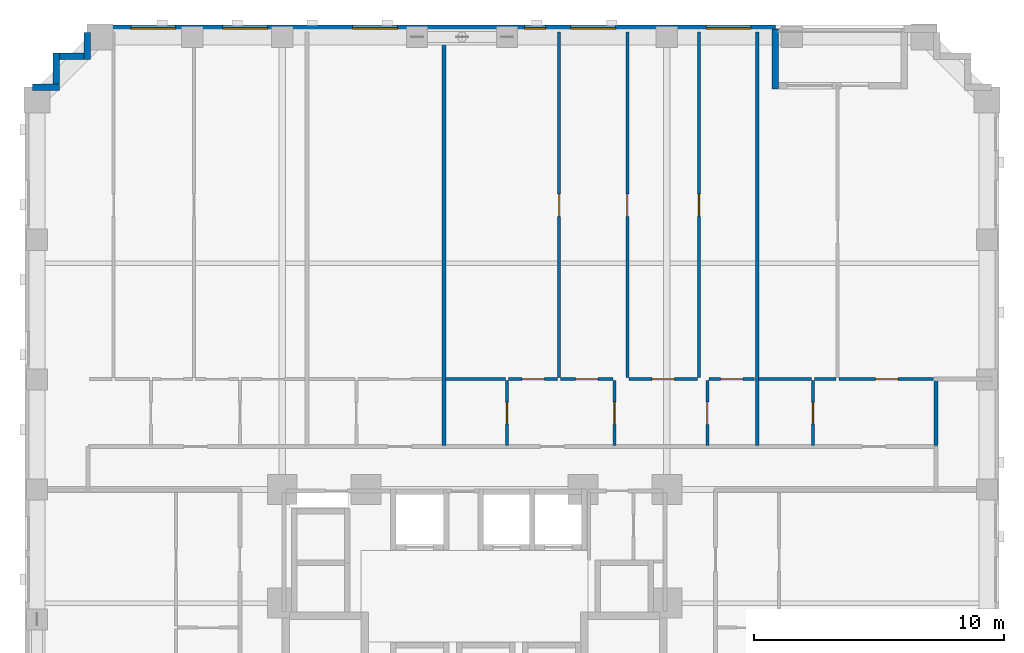
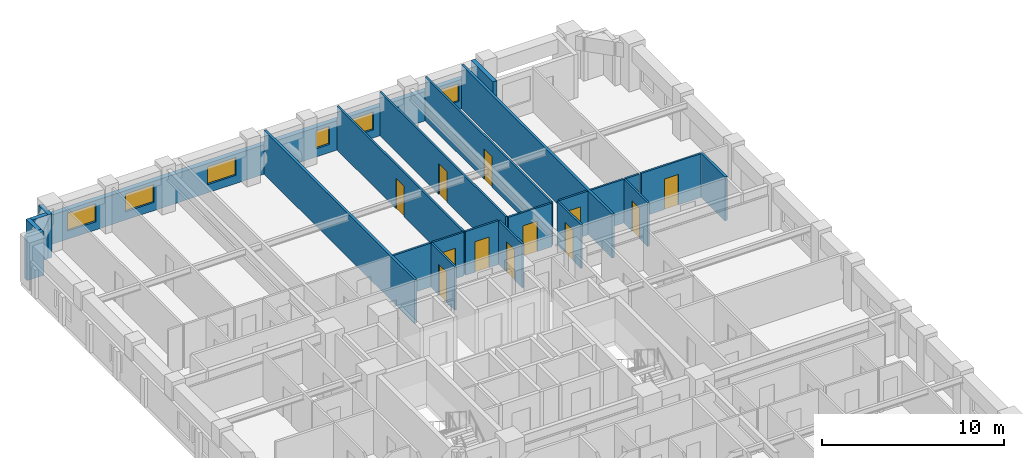
# One storey, part 8 of 14: 24 walls, 12 doors, 6 windows, 18 openings.
"""IFC4 building model written with IfcOpenShell, lengths in metres."""

from ifc_helpers import new_model, si_unit, derived_unit, direction, frame, frame_2d, origin, place, context, subcontext, project, spatial, rectangle, extrude, material, layer, layer_set, type_object, element, fill, save


model = new_model("IFC4")

# Units and contexts
model_context = context("Model", 3, precision=1e-05, world=origin(), true_north=direction((0.0, 1.0)))
body_context = subcontext(model_context, "Body", "Model", "MODEL_VIEW")
ifc_project = project(units=[si_unit("LENGTHUNIT", "METRE"), si_unit("AREAUNIT", "SQUARE_METRE"), si_unit("VOLUMEUNIT", "CUBIC_METRE"), si_unit("PLANEANGLEUNIT", "RADIAN"), si_unit("MASSUNIT", "GRAM", prefix="KILO"), derived_unit("THERMALTRANSMITTANCEUNIT", [(si_unit("MASSUNIT", "GRAM", prefix="KILO"), 1), (si_unit("TIMEUNIT", "SECOND"), -3), (si_unit("THERMODYNAMICTEMPERATUREUNIT", "KELVIN"), -1)])], contexts=[model_context])

# Site, building, storey
site_placement = place(None, origin())
site = spatial("IfcSite", under=ifc_project, at=site_placement, CompositionType="ELEMENT")
building_placement = place(site_placement, origin())
building = spatial("IfcBuilding", under=site, at=building_placement, Name="Korrvale Station Residences", CompositionType="ELEMENT")
storey_placement = place(building_placement, frame((0.0, 0.0, 54.60009765625)))
storey = spatial("IfcBuildingStorey", under=building, at=storey_placement, Name="L14", CompositionType="ELEMENT", Elevation=54.60009765625)

# Walls
ifc_material_1 = material(Name="Precast concrete C45/55", Category="concrete")
ifc_layer_1 = layer(ifc_material_1, 0.260009765625, Name="Precast concrete C45/55")
ifc_layer_set_1 = layer_set([ifc_layer_1], Name="Precast concrete C45/55")
wall_type_1 = type_object("IfcWallType", Name="WAL-EXT-LOG260", PredefinedType="SOLIDWALL", material=ifc_layer_set_1)
wall_1_placement = place(storey_placement, frame((37.550048828125, 47.43994140625, 0.0), z_axis=(0.0, 0.0, 1.0), x_axis=(0.0, -1.0, 0.0)))
element("IfcWall", 1, at=wall_1_placement, inside=storey, type_object=wall_type_1, Name="L14 Recessed Loggia Wall BAL-L14-N1-L", PredefinedType="SOLIDWALL", context=body_context, shape_type="SweptSolid", body=[
    extrude(rectangle(XDim=2.39990234375, YDim=0.260009765625, at=frame_2d((1.199951171875, 0.0))), origin(), (0.0, 0.0, 1.0), 2.93994140625),
])
wall_2_placement = place(storey_placement, frame((7.802001953125, 45.10009765625, 0.0), z_axis=(0.0, 0.0, 1.0), x_axis=(1.0, 0.0, 0.0)))
element("IfcWall", 2, at=wall_2_placement, inside=storey, type_object=wall_type_1, Name="L14 Serrated Corner Precast Step NW-1", PredefinedType="SOLIDWALL", context=body_context, shape_type="SweptSolid", body=[
    extrude(rectangle(XDim=1.077880859375, YDim=0.260009765625, at=frame_2d((0.5390625, 0.0))), origin(), (0.0, 0.0, 1.0), 2.93994140625),
])
wall_3_placement = place(storey_placement, frame((8.75, 45.23193359375, 0.0), z_axis=(0.0, 0.0, 1.0), x_axis=(0.0, 1.0, 0.0)))
element("IfcWall", 3, at=wall_3_placement, inside=storey, type_object=wall_type_1, Name="L14 Serrated Corner Precast Step NW-2", PredefinedType="SOLIDWALL", context=body_context, shape_type="SweptSolid", body=[
    extrude(rectangle(XDim=1.248046875, YDim=0.260009765625, at=frame_2d((0.6240234375, 0.0))), origin(), (0.0, 0.0, 1.0), 2.93994140625),
])
wall_4_placement = place(storey_placement, frame((8.882080078125, 46.35009765625, 0.0), z_axis=(0.0, 0.0, 1.0), x_axis=(1.0, 0.0, 0.0)))
element("IfcWall", 4, at=wall_4_placement, inside=storey, type_object=wall_type_1, Name="L14 Serrated Corner Precast Step NW-3", PredefinedType="SOLIDWALL", context=body_context, shape_type="SweptSolid", body=[
    extrude(rectangle(XDim=0.98583984375, YDim=0.260009765625, at=frame_2d((0.492919921875, 0.0))), origin(), (0.0, 0.0, 1.0), 2.93994140625),
])
wall_5_placement = place(storey_placement, frame((10.0, 46.219970703125, 0.0), z_axis=(0.0, 0.0, 1.0), x_axis=(0.0, 1.0, 0.0)))
element("IfcWall", 5, at=wall_5_placement, inside=storey, type_object=wall_type_1, Name="L14 Serrated Corner Precast Step NW-4", PredefinedType="SOLIDWALL", context=body_context, shape_type="SweptSolid", body=[
    extrude(rectangle(XDim=1.078125, YDim=0.260009765625, at=frame_2d((0.5390625, 0.0))), origin(), (0.0, 0.0, 1.0), 2.93994140625),
])

# Wall, openings, windows
ifc_layer_2 = layer(ifc_material_1, 0.300048828125, Name="Precast concrete C45/55")
ifc_layer_set_2 = layer_set([ifc_layer_2], Name="Precast concrete C45/55")
wall_type_2 = type_object("IfcWallType", Name="WAL-EXT-PC300", PredefinedType="SOLIDWALL", material=ifc_layer_set_2)
wall_6_placement = place(storey_placement, frame((10.0, 47.449951171875, 0.0), z_axis=(0.0, 0.0, 1.0), x_axis=(1.0, 0.0, 0.0)))
wall_6 = element("IfcWall", 6, at=wall_6_placement, inside=storey, type_object=wall_type_2, Name="L14 North Exterior Precast Wall 1", PredefinedType="SOLIDWALL", context=body_context, shape_type="SweptSolid", body=[
    extrude(rectangle(XDim=27.550048828125, YDim=0.300048828125, at=frame_2d((13.77490234375, 0.0))), origin(), (0.0, 0.0, 1.0), 1.974853515625),
])
opening_1_placement = place(wall_6_placement, frame((1.735107421875, 0.0, 0.550048828125)))
opening_1 = element("IfcOpeningElement", 7, at=opening_1_placement, cuts=wall_6, Name="Opening W-09", PredefinedType="OPENING", context=body_context, shape_type="SweptSolid", body=[
    extrude(rectangle(XDim=1.800048828125, YDim=1.199951171875, at=frame_2d((0.89990234375, 0.60009765625))), frame((0.0, 0.16015625, 0.0), z_axis=(0.0, -1.0, 0.0), x_axis=(1.0, 0.0, 0.0)), (0.0, 0.0, 1.0), 0.320068359375),
])
opening_2_placement = place(wall_6_placement, frame((5.4150390625, 0.0, 0.550048828125)))
opening_2 = element("IfcOpeningElement", 8, at=opening_2_placement, cuts=wall_6, Name="Opening W-09", PredefinedType="OPENING", context=body_context, shape_type="SweptSolid", body=[
    extrude(rectangle(XDim=1.800048828125, YDim=1.199951171875, at=frame_2d((0.89990234375, 0.60009765625))), frame((0.0, 0.16015625, 0.0), z_axis=(0.0, -1.0, 0.0), x_axis=(1.0, 0.0, 0.0)), (0.0, 0.0, 1.0), 0.320068359375),
])
opening_3_placement = place(wall_6_placement, frame((10.616943359375, 0.0, 0.550048828125)))
opening_3 = element("IfcOpeningElement", 9, at=opening_3_placement, cuts=wall_6, Name="Opening W-09", PredefinedType="OPENING", context=body_context, shape_type="SweptSolid", body=[
    extrude(rectangle(XDim=1.800048828125, YDim=1.199951171875, at=frame_2d((0.89990234375, 0.60009765625))), frame((0.0, 0.16015625, 0.0), z_axis=(0.0, -1.0, 0.0), x_axis=(1.0, 0.0, 0.0)), (0.0, 0.0, 1.0), 0.320068359375),
])
opening_4_placement = place(wall_6_placement, frame((17.5, 0.0, 0.550048828125)))
opening_4 = element("IfcOpeningElement", 10, at=opening_4_placement, cuts=wall_6, Name="Opening W-11", PredefinedType="OPENING", context=body_context, shape_type="SweptSolid", body=[
    extrude(rectangle(XDim=0.85009765625, YDim=1.199951171875, at=frame_2d((0.425048828125, 0.60009765625))), frame((0.0, 0.16015625, 0.0), z_axis=(0.0, -1.0, 0.0), x_axis=(1.0, 0.0, 0.0)), (0.0, 0.0, 1.0), 0.320068359375),
])
opening_5_placement = place(wall_6_placement, frame((19.34912109375, 0.0, 0.550048828125)))
opening_5 = element("IfcOpeningElement", 11, at=opening_5_placement, cuts=wall_6, Name="Opening W-09", PredefinedType="OPENING", context=body_context, shape_type="SweptSolid", body=[
    extrude(rectangle(XDim=1.800048828125, YDim=1.199951171875, at=frame_2d((0.89990234375, 0.60009765625))), frame((0.0, 0.16015625, 0.0), z_axis=(0.0, -1.0, 0.0), x_axis=(1.0, 0.0, 0.0)), (0.0, 0.0, 1.0), 0.320068359375),
])
opening_6_placement = place(wall_6_placement, frame((24.76904296875, 0.0, 0.550048828125)))
opening_6 = element("IfcOpeningElement", 12, at=opening_6_placement, cuts=wall_6, Name="Opening W-09", PredefinedType="OPENING", context=body_context, shape_type="SweptSolid", body=[
    extrude(rectangle(XDim=1.800048828125, YDim=1.199951171875, at=frame_2d((0.89990234375, 0.60009765625))), frame((0.0, 0.16015625, 0.0), z_axis=(0.0, -1.0, 0.0), x_axis=(1.0, 0.0, 0.0)), (0.0, 0.0, 1.0), 0.320068359375),
])
ifc_material_2 = material(Name="Thermally broken aluminium frame with triple low-e glazing", Category="aluminium")
window_type_1 = type_object("IfcWindowType", Name="WIN-W09", PartitioningType="DOUBLE_PANEL_VERTICAL", PredefinedType="WINDOW", material=ifc_material_2)
window_1_placement = place(opening_1_placement, origin())
window_1 = element("IfcWindow", 13, at=window_1_placement, inside=storey, type_object=window_type_1, Name="L14 Punched Window 15", OverallHeight=1.199951171875, OverallWidth=1.800048828125, PartitioningType="DOUBLE_PANEL_VERTICAL", PredefinedType="WINDOW", context=body_context, shape_type="SweptSolid", body=[
    extrude(rectangle(XDim=1.800048828125, YDim=1.199951171875, at=frame_2d((0.89990234375, 0.60009765625))), frame((0.0, 0.030029296875, 0.0), z_axis=(0.0, -1.0, 0.0), x_axis=(1.0, 0.0, 0.0)), (0.0, 0.0, 1.0), 0.06005859375),
])
fill(opening_1, window_1)
window_2_placement = place(opening_2_placement, origin())
window_2 = element("IfcWindow", 14, at=window_2_placement, inside=storey, type_object=window_type_1, Name="L14 Punched Window 16", OverallHeight=1.199951171875, OverallWidth=1.800048828125, PartitioningType="DOUBLE_PANEL_VERTICAL", PredefinedType="WINDOW", context=body_context, shape_type="SweptSolid", body=[
    extrude(rectangle(XDim=1.800048828125, YDim=1.199951171875, at=frame_2d((0.89990234375, 0.60009765625))), frame((0.0, 0.030029296875, 0.0), z_axis=(0.0, -1.0, 0.0), x_axis=(1.0, 0.0, 0.0)), (0.0, 0.0, 1.0), 0.06005859375),
])
fill(opening_2, window_2)
window_3_placement = place(opening_3_placement, origin())
window_3 = element("IfcWindow", 15, at=window_3_placement, inside=storey, type_object=window_type_1, Name="L14 Punched Window 17", OverallHeight=1.199951171875, OverallWidth=1.800048828125, PartitioningType="DOUBLE_PANEL_VERTICAL", PredefinedType="WINDOW", context=body_context, shape_type="SweptSolid", body=[
    extrude(rectangle(XDim=1.800048828125, YDim=1.199951171875, at=frame_2d((0.89990234375, 0.60009765625))), frame((0.0, 0.030029296875, 0.0), z_axis=(0.0, -1.0, 0.0), x_axis=(1.0, 0.0, 0.0)), (0.0, 0.0, 1.0), 0.06005859375),
])
fill(opening_3, window_3)
window_4_placement = place(opening_5_placement, origin())
window_4 = element("IfcWindow", 16, at=window_4_placement, inside=storey, type_object=window_type_1, Name="L14 Punched Window 19", OverallHeight=1.199951171875, OverallWidth=1.800048828125, PartitioningType="DOUBLE_PANEL_VERTICAL", PredefinedType="WINDOW", context=body_context, shape_type="SweptSolid", body=[
    extrude(rectangle(XDim=1.800048828125, YDim=1.199951171875, at=frame_2d((0.89990234375, 0.60009765625))), frame((0.0, 0.030029296875, 0.0), z_axis=(0.0, -1.0, 0.0), x_axis=(1.0, 0.0, 0.0)), (0.0, 0.0, 1.0), 0.06005859375),
])
fill(opening_5, window_4)
window_5_placement = place(opening_6_placement, origin())
window_5 = element("IfcWindow", 17, at=window_5_placement, inside=storey, type_object=window_type_1, Name="L14 Punched Window 20", OverallHeight=1.199951171875, OverallWidth=1.800048828125, PartitioningType="DOUBLE_PANEL_VERTICAL", PredefinedType="WINDOW", context=body_context, shape_type="SweptSolid", body=[
    extrude(rectangle(XDim=1.800048828125, YDim=1.199951171875, at=frame_2d((0.89990234375, 0.60009765625))), frame((0.0, 0.030029296875, 0.0), z_axis=(0.0, -1.0, 0.0), x_axis=(1.0, 0.0, 0.0)), (0.0, 0.0, 1.0), 0.06005859375),
])
fill(opening_6, window_5)
window_type_2 = type_object("IfcWindowType", Name="WIN-W11", PartitioningType="SINGLE_PANEL", PredefinedType="WINDOW", material=ifc_material_2)
window_6_placement = place(opening_4_placement, origin())
window_6 = element("IfcWindow", 18, at=window_6_placement, inside=storey, type_object=window_type_2, Name="L14 Punched Window 18", OverallHeight=1.199951171875, OverallWidth=0.85009765625, PartitioningType="SINGLE_PANEL", PredefinedType="WINDOW", context=body_context, shape_type="SweptSolid", body=[
    extrude(rectangle(XDim=0.85009765625, YDim=1.199951171875, at=frame_2d((0.425048828125, 0.60009765625))), frame((0.0, 0.030029296875, 0.0), z_axis=(0.0, -1.0, 0.0), x_axis=(1.0, 0.0, 0.0)), (0.0, 0.0, 1.0), 0.06005859375),
])
fill(opening_4, window_6)

# Wall, opening, door
ifc_material_3 = material(Name="Acoustic steel-stud gypsum board partition", Category="steel")
ifc_layer_3 = layer(ifc_material_3, 0.1201171875, Name="Acoustic steel-stud gypsum board partition")
ifc_layer_set_3 = layer_set([ifc_layer_3], Name="Acoustic steel-stud gypsum board partition")
wall_type_3 = type_object("IfcWallType", Name="WAL-PART-125", PredefinedType="PARTITIONING", material=ifc_layer_set_3)
wall_7_placement = place(storey_placement, frame((26.799072265625, 30.760009765625, 0.0), z_axis=(0.0, 0.0, 1.0), x_axis=(0.0, 1.0, 0.0)))
wall_7 = element("IfcWall", 19, at=wall_7_placement, inside=storey, type_object=wall_type_3, Name="L14 Suite Partition U07-V01", PredefinedType="PARTITIONING", context=body_context, shape_type="SweptSolid", body=[
    extrude(rectangle(XDim=2.60009765625, YDim=0.1201171875, at=frame_2d((1.300048828125, 0.0))), origin(), (0.0, 0.0, 1.0), 2.93994140625),
])
opening_7_placement = place(wall_7_placement, frame((0.8701171875, 0.0, 0.0)))
opening_7 = element("IfcOpeningElement", 20, at=opening_7_placement, cuts=wall_7, Name="Opening DB-860", PredefinedType="OPENING", context=body_context, shape_type="SweptSolid", body=[
    extrude(rectangle(XDim=0.860107421875, YDim=2.050048828125, at=frame_2d((0.43017578125, 1.02490234375))), frame((0.0, 0.070068359375, 0.0), z_axis=(0.0, -1.0, 0.0), x_axis=(1.0, 0.0, 0.0)), (0.0, 0.0, 1.0), 0.14013671875),
])
ifc_material_4 = material(Name="Moisture-resistant solid-core bathroom door", Category="timber")
door_type_1 = type_object("IfcDoorType", Name="DR-BATH-860", OperationType="NOTDEFINED", PredefinedType="DOOR", material=ifc_material_4)
door_1_placement = place(opening_7_placement, origin())
door_1 = element("IfcDoor", 21, at=door_1_placement, inside=storey, type_object=door_type_1, Name="L14 Apartment 1BR L14-U07 Bathroom Door", OperationType="SINGLE_SWING_LEFT", OverallHeight=2.050048828125, OverallWidth=0.860107421875, PredefinedType="DOOR", context=body_context, shape_type="SweptSolid", body=[
    extrude(rectangle(XDim=0.860107421875, YDim=2.050048828125, at=frame_2d((0.43017578125, 1.02490234375))), frame((0.0, 0.02490234375, 0.0), z_axis=(0.0, -1.0, 0.0), x_axis=(1.0, 0.0, 0.0)), (0.0, 0.0, 1.0), 0.050048828125),
])
fill(opening_7, door_1)

# Wall
wall_8_placement = place(storey_placement, frame((24.339111328125, 33.419921875, 0.0), z_axis=(0.0, 0.0, 1.0), x_axis=(1.0, 0.0, 0.0)))
element("IfcWall", 22, at=wall_8_placement, inside=storey, type_object=wall_type_3, Name="L14 Suite Partition U07-H04", PredefinedType="PARTITIONING", context=body_context, shape_type="SweptSolid", body=[
    extrude(rectangle(XDim=2.39990234375, YDim=0.1201171875, at=frame_2d((1.199951171875, 0.0))), origin(), (0.0, 0.0, 1.0), 2.93994140625),
])

# Wall, opening, door
wall_9_placement = place(storey_placement, frame((31.09912109375, 30.760009765625, 0.0), z_axis=(0.0, 0.0, 1.0), x_axis=(0.0, 1.0, 0.0)))
wall_9 = element("IfcWall", 23, at=wall_9_placement, inside=storey, type_object=wall_type_3, Name="L14 Suite Partition U07-V12", PredefinedType="PARTITIONING", context=body_context, shape_type="SweptSolid", body=[
    extrude(rectangle(XDim=2.60009765625, YDim=0.1201171875, at=frame_2d((1.300048828125, 0.0))), origin(), (0.0, 0.0, 1.0), 2.93994140625),
])
opening_8_placement = place(wall_9_placement, frame((0.85009765625, 0.0, 0.0)))
opening_8 = element("IfcOpeningElement", 24, at=opening_8_placement, cuts=wall_9, Name="Opening DI-900", PredefinedType="OPENING", context=body_context, shape_type="SweptSolid", body=[
    extrude(rectangle(XDim=0.89990234375, YDim=2.050048828125, at=frame_2d((0.449951171875, 1.02490234375))), frame((0.0, 0.070068359375, 0.0), z_axis=(0.0, -1.0, 0.0), x_axis=(1.0, 0.0, 0.0)), (0.0, 0.0, 1.0), 0.14013671875),
])
ifc_material_5 = material(Name="Painted solid-core timber interior room door", Category="wood")
door_type_2 = type_object("IfcDoorType", Name="DR-INT-900", OperationType="NOTDEFINED", PredefinedType="DOOR", material=ifc_material_5)
door_2_placement = place(opening_8_placement, origin())
door_2 = element("IfcDoor", 25, at=door_2_placement, inside=storey, type_object=door_type_2, Name="L14 Apartment 1BR L14-U07 Kitchen Door", OperationType="SINGLE_SWING_RIGHT", OverallHeight=2.050048828125, OverallWidth=0.89990234375, PredefinedType="DOOR", context=body_context, shape_type="SweptSolid", body=[
    extrude(rectangle(XDim=0.89990234375, YDim=2.050048828125, at=frame_2d((0.449951171875, 1.02490234375))), frame((0.0, 0.02490234375, 0.0), z_axis=(0.0, -1.0, 0.0), x_axis=(1.0, 0.0, 0.0)), (0.0, 0.0, 1.0), 0.050048828125),
])
fill(opening_8, door_2)

wall_10_placement = place(storey_placement, frame((26.85888671875, 33.419921875, 0.0), z_axis=(0.0, 0.0, 1.0), x_axis=(1.0, 0.0, 0.0)))
wall_10 = element("IfcWall", 26, at=wall_10_placement, inside=storey, type_object=wall_type_3, Name="L14 Suite Partition U07-H14", PredefinedType="PARTITIONING", context=body_context, shape_type="SweptSolid", body=[
    extrude(rectangle(XDim=1.97021484375, YDim=0.1201171875, at=frame_2d((0.985107421875, 0.0))), origin(), (0.0, 0.0, 1.0), 2.93994140625),
])
opening_9_placement = place(wall_10_placement, frame((0.534912109375, 0.0, 0.0)))
opening_9 = element("IfcOpeningElement", 27, at=opening_9_placement, cuts=wall_10, Name="Opening DI-900", PredefinedType="OPENING", context=body_context, shape_type="SweptSolid", body=[
    extrude(rectangle(XDim=0.89990234375, YDim=2.050048828125, at=frame_2d((0.449951171875, 1.02490234375))), frame((0.0, 0.070068359375, 0.0), z_axis=(0.0, -1.0, 0.0), x_axis=(1.0, 0.0, 0.0)), (0.0, 0.0, 1.0), 0.14013671875),
])
door_3_placement = place(opening_9_placement, origin())
door_3 = element("IfcDoor", 28, at=door_3_placement, inside=storey, type_object=door_type_2, Name="L14 Apartment 1BR L14-U07 Kitchen Door", OperationType="SINGLE_SWING_LEFT", OverallHeight=2.050048828125, OverallWidth=0.89990234375, PredefinedType="DOOR", context=body_context, shape_type="SweptSolid", body=[
    extrude(rectangle(XDim=0.89990234375, YDim=2.050048828125, at=frame_2d((0.449951171875, 1.02490234375))), frame((0.0, 0.02490234375, 0.0), z_axis=(0.0, -1.0, 0.0), x_axis=(1.0, 0.0, 0.0)), (0.0, 0.0, 1.0), 0.050048828125),
])
fill(opening_9, door_3)

wall_11_placement = place(storey_placement, frame((28.948974609375, 33.419921875, 0.0), z_axis=(0.0, 0.0, 1.0), x_axis=(1.0, 0.0, 0.0)))
wall_11 = element("IfcWall", 29, at=wall_11_placement, inside=storey, type_object=wall_type_3, Name="L14 Suite Partition U07-H15", PredefinedType="PARTITIONING", context=body_context, shape_type="SweptSolid", body=[
    extrude(rectangle(XDim=2.090087890625, YDim=0.1201171875, at=frame_2d((1.044921875, 0.0))), origin(), (0.0, 0.0, 1.0), 2.93994140625),
])
opening_10_placement = place(wall_11_placement, frame((0.594970703125, 0.0, 0.0)))
opening_10 = element("IfcOpeningElement", 30, at=opening_10_placement, cuts=wall_11, Name="Opening DI-900", PredefinedType="OPENING", context=body_context, shape_type="SweptSolid", body=[
    extrude(rectangle(XDim=0.89990234375, YDim=2.050048828125, at=frame_2d((0.449951171875, 1.02490234375))), frame((0.0, 0.070068359375, 0.0), z_axis=(0.0, -1.0, 0.0), x_axis=(1.0, 0.0, 0.0)), (0.0, 0.0, 1.0), 0.14013671875),
])
door_4_placement = place(opening_10_placement, origin())
door_4 = element("IfcDoor", 31, at=door_4_placement, inside=storey, type_object=door_type_2, Name="L14 Apartment 1BR L14-U07 Kitchen Door", OperationType="SINGLE_SWING_RIGHT", OverallHeight=2.050048828125, OverallWidth=0.89990234375, PredefinedType="DOOR", context=body_context, shape_type="SweptSolid", body=[
    extrude(rectangle(XDim=0.89990234375, YDim=2.050048828125, at=frame_2d((0.449951171875, 1.02490234375))), frame((0.0, 0.02490234375, 0.0), z_axis=(0.0, -1.0, 0.0), x_axis=(1.0, 0.0, 0.0)), (0.0, 0.0, 1.0), 0.050048828125),
])
fill(opening_10, door_4)

wall_12_placement = place(storey_placement, frame((34.819091796875, 30.760009765625, 0.0), z_axis=(0.0, 0.0, 1.0), x_axis=(0.0, 1.0, 0.0)))
wall_12 = element("IfcWall", 32, at=wall_12_placement, inside=storey, type_object=wall_type_3, Name="L14 Suite Partition U07-V23", PredefinedType="PARTITIONING", context=body_context, shape_type="SweptSolid", body=[
    extrude(rectangle(XDim=2.60009765625, YDim=0.1201171875, at=frame_2d((1.300048828125, 0.0))), origin(), (0.0, 0.0, 1.0), 2.93994140625),
])
opening_11_placement = place(wall_12_placement, frame((0.85009765625, 0.0, 0.0)))
opening_11 = element("IfcOpeningElement", 33, at=opening_11_placement, cuts=wall_12, Name="Opening DI-900", PredefinedType="OPENING", context=body_context, shape_type="SweptSolid", body=[
    extrude(rectangle(XDim=0.89990234375, YDim=2.050048828125, at=frame_2d((0.449951171875, 1.02490234375))), frame((0.0, 0.070068359375, 0.0), z_axis=(0.0, -1.0, 0.0), x_axis=(1.0, 0.0, 0.0)), (0.0, 0.0, 1.0), 0.14013671875),
])
door_5_placement = place(opening_11_placement, origin())
door_5 = element("IfcDoor", 34, at=door_5_placement, inside=storey, type_object=door_type_2, Name="L14 Apartment 1BR L14-U07 Utility and Laundry Room Door", OperationType="SINGLE_SWING_LEFT", OverallHeight=2.050048828125, OverallWidth=0.89990234375, PredefinedType="DOOR", context=body_context, shape_type="SweptSolid", body=[
    extrude(rectangle(XDim=0.89990234375, YDim=2.050048828125, at=frame_2d((0.449951171875, 1.02490234375))), frame((0.0, 0.02490234375, 0.0), z_axis=(0.0, -1.0, 0.0), x_axis=(1.0, 0.0, 0.0)), (0.0, 0.0, 1.0), 0.050048828125),
])
fill(opening_11, door_5)

wall_13_placement = place(storey_placement, frame((31.676025390625, 33.419921875, 0.0), z_axis=(0.0, 0.0, 1.0), x_axis=(1.0, 0.0, 0.0)))
wall_13 = element("IfcWall", 35, at=wall_13_placement, inside=storey, type_object=wall_type_3, Name="L14 Suite Partition U07-H26", PredefinedType="PARTITIONING", context=body_context, shape_type="SweptSolid", body=[
    extrude(rectangle(XDim=2.751953125, YDim=0.1201171875, at=frame_2d((1.3759765625, 0.0))), origin(), (0.0, 0.0, 1.0), 2.93994140625),
])
opening_12_placement = place(wall_13_placement, frame((0.926025390625, 0.0, 0.0)))
opening_12 = element("IfcOpeningElement", 36, at=opening_12_placement, cuts=wall_13, Name="Opening DI-900", PredefinedType="OPENING", context=body_context, shape_type="SweptSolid", body=[
    extrude(rectangle(XDim=0.89990234375, YDim=2.050048828125, at=frame_2d((0.449951171875, 1.02490234375))), frame((0.0, 0.070068359375, 0.0), z_axis=(0.0, -1.0, 0.0), x_axis=(1.0, 0.0, 0.0)), (0.0, 0.0, 1.0), 0.14013671875),
])
door_6_placement = place(opening_12_placement, origin())
door_6 = element("IfcDoor", 37, at=door_6_placement, inside=storey, type_object=door_type_2, Name="L14 Apartment 1BR L14-U07 Utility and Laundry Room Door", OperationType="SINGLE_SWING_RIGHT", OverallHeight=2.050048828125, OverallWidth=0.89990234375, PredefinedType="DOOR", context=body_context, shape_type="SweptSolid", body=[
    extrude(rectangle(XDim=0.89990234375, YDim=2.050048828125, at=frame_2d((0.449951171875, 1.02490234375))), frame((0.0, 0.02490234375, 0.0), z_axis=(0.0, -1.0, 0.0), x_axis=(1.0, 0.0, 0.0)), (0.0, 0.0, 1.0), 0.050048828125),
])
fill(opening_12, door_6)

wall_14_placement = place(storey_placement, frame((34.87890625, 33.419921875, 0.0), z_axis=(0.0, 0.0, 1.0), x_axis=(1.0, 0.0, 0.0)))
wall_14 = element("IfcWall", 38, at=wall_14_placement, inside=storey, type_object=wall_type_3, Name="L14 Suite Partition U07-H37", PredefinedType="PARTITIONING", context=body_context, shape_type="SweptSolid", body=[
    extrude(rectangle(XDim=1.841064453125, YDim=0.1201171875, at=frame_2d((0.92041015625, 0.0))), origin(), (0.0, 0.0, 1.0), 2.93994140625),
])
opening_13_placement = place(wall_14_placement, frame((0.469970703125, 0.0, 0.0)))
opening_13 = element("IfcOpeningElement", 39, at=opening_13_placement, cuts=wall_14, Name="Opening DI-900", PredefinedType="OPENING", context=body_context, shape_type="SweptSolid", body=[
    extrude(rectangle(XDim=0.89990234375, YDim=2.050048828125, at=frame_2d((0.449951171875, 1.02490234375))), frame((0.0, 0.070068359375, 0.0), z_axis=(0.0, -1.0, 0.0), x_axis=(1.0, 0.0, 0.0)), (0.0, 0.0, 1.0), 0.14013671875),
])
door_7_placement = place(opening_13_placement, origin())
door_7 = element("IfcDoor", 40, at=door_7_placement, inside=storey, type_object=door_type_2, Name="L14 Apartment 1BR L14-U07 Storage Closet 2 Door", OperationType="SINGLE_SWING_LEFT", OverallHeight=2.050048828125, OverallWidth=0.89990234375, PredefinedType="DOOR", context=body_context, shape_type="SweptSolid", body=[
    extrude(rectangle(XDim=0.89990234375, YDim=2.050048828125, at=frame_2d((0.449951171875, 1.02490234375))), frame((0.0, 0.02490234375, 0.0), z_axis=(0.0, -1.0, 0.0), x_axis=(1.0, 0.0, 0.0)), (0.0, 0.0, 1.0), 0.050048828125),
])
fill(opening_13, door_7)

wall_15_placement = place(storey_placement, frame((28.888916015625, 33.47998046875, 0.0), z_axis=(0.0, 0.0, 1.0), x_axis=(0.0, 1.0, 0.0)))
wall_15 = element("IfcWall", 41, at=wall_15_placement, inside=storey, type_object=wall_type_3, Name="L14 Suite Partition U07-V45", PredefinedType="PARTITIONING", context=body_context, shape_type="SweptSolid", body=[
    extrude(rectangle(XDim=13.840087890625, YDim=0.1201171875, at=frame_2d((6.919921875, 0.0))), origin(), (0.0, 0.0, 1.0), 2.93994140625),
])
opening_14_placement = place(wall_15_placement, frame((6.455078125, 0.0, 0.0)))
opening_14 = element("IfcOpeningElement", 42, at=opening_14_placement, cuts=wall_15, Name="Opening DI-900", PredefinedType="OPENING", context=body_context, shape_type="SweptSolid", body=[
    extrude(rectangle(XDim=0.89990234375, YDim=2.050048828125, at=frame_2d((0.449951171875, 1.02490234375))), frame((0.0, 0.070068359375, 0.0), z_axis=(0.0, -1.0, 0.0), x_axis=(1.0, 0.0, 0.0)), (0.0, 0.0, 1.0), 0.14013671875),
])
door_8_placement = place(opening_14_placement, origin())
door_8 = element("IfcDoor", 43, at=door_8_placement, inside=storey, type_object=door_type_2, Name="L14 Apartment 1BR L14-U07 Living and Dining Room Door", OperationType="SINGLE_SWING_RIGHT", OverallHeight=2.050048828125, OverallWidth=0.89990234375, PredefinedType="DOOR", context=body_context, shape_type="SweptSolid", body=[
    extrude(rectangle(XDim=0.89990234375, YDim=2.050048828125, at=frame_2d((0.449951171875, 1.02490234375))), frame((0.0, 0.02490234375, 0.0), z_axis=(0.0, -1.0, 0.0), x_axis=(1.0, 0.0, 0.0)), (0.0, 0.0, 1.0), 0.050048828125),
])
fill(opening_14, door_8)

wall_16_placement = place(storey_placement, frame((31.615966796875, 33.47998046875, 0.0), z_axis=(0.0, 0.0, 1.0), x_axis=(0.0, 1.0, 0.0)))
wall_16 = element("IfcWall", 44, at=wall_16_placement, inside=storey, type_object=wall_type_3, Name="L14 Suite Partition U07-V56", PredefinedType="PARTITIONING", context=body_context, shape_type="SweptSolid", body=[
    extrude(rectangle(XDim=13.840087890625, YDim=0.1201171875, at=frame_2d((6.919921875, 0.0))), origin(), (0.0, 0.0, 1.0), 2.93994140625),
])
opening_15_placement = place(wall_16_placement, frame((6.455078125, 0.0, 0.0)))
opening_15 = element("IfcOpeningElement", 45, at=opening_15_placement, cuts=wall_16, Name="Opening DI-900", PredefinedType="OPENING", context=body_context, shape_type="SweptSolid", body=[
    extrude(rectangle(XDim=0.89990234375, YDim=2.050048828125, at=frame_2d((0.449951171875, 1.02490234375))), frame((0.0, 0.070068359375, 0.0), z_axis=(0.0, -1.0, 0.0), x_axis=(1.0, 0.0, 0.0)), (0.0, 0.0, 1.0), 0.14013671875),
])
door_9_placement = place(opening_15_placement, origin())
door_9 = element("IfcDoor", 46, at=door_9_placement, inside=storey, type_object=door_type_2, Name="L14 Apartment 1BR L14-U07 Formal Dining Room Door", OperationType="SINGLE_SWING_LEFT", OverallHeight=2.050048828125, OverallWidth=0.89990234375, PredefinedType="DOOR", context=body_context, shape_type="SweptSolid", body=[
    extrude(rectangle(XDim=0.89990234375, YDim=2.050048828125, at=frame_2d((0.449951171875, 1.02490234375))), frame((0.0, 0.02490234375, 0.0), z_axis=(0.0, -1.0, 0.0), x_axis=(1.0, 0.0, 0.0)), (0.0, 0.0, 1.0), 0.050048828125),
])
fill(opening_15, door_9)

wall_17_placement = place(storey_placement, frame((34.488037109375, 33.47998046875, 0.0), z_axis=(0.0, 0.0, 1.0), x_axis=(0.0, 1.0, 0.0)))
wall_17 = element("IfcWall", 47, at=wall_17_placement, inside=storey, type_object=wall_type_3, Name="L14 Suite Partition U07-V67", PredefinedType="PARTITIONING", context=body_context, shape_type="SweptSolid", body=[
    extrude(rectangle(XDim=13.840087890625, YDim=0.1201171875, at=frame_2d((6.919921875, 0.0))), origin(), (0.0, 0.0, 1.0), 2.93994140625),
])
opening_16_placement = place(wall_17_placement, frame((6.455078125, 0.0, 0.0)))
opening_16 = element("IfcOpeningElement", 48, at=opening_16_placement, cuts=wall_17, Name="Opening DI-900", PredefinedType="OPENING", context=body_context, shape_type="SweptSolid", body=[
    extrude(rectangle(XDim=0.89990234375, YDim=2.050048828125, at=frame_2d((0.449951171875, 1.02490234375))), frame((0.0, 0.070068359375, 0.0), z_axis=(0.0, -1.0, 0.0), x_axis=(1.0, 0.0, 0.0)), (0.0, 0.0, 1.0), 0.14013671875),
])
door_10_placement = place(opening_16_placement, origin())
door_10 = element("IfcDoor", 49, at=door_10_placement, inside=storey, type_object=door_type_2, Name="L14 Apartment 1BR L14-U07 Wardrobe Storage Room Door", OperationType="SINGLE_SWING_RIGHT", OverallHeight=2.050048828125, OverallWidth=0.89990234375, PredefinedType="DOOR", context=body_context, shape_type="SweptSolid", body=[
    extrude(rectangle(XDim=0.89990234375, YDim=2.050048828125, at=frame_2d((0.449951171875, 1.02490234375))), frame((0.0, 0.02490234375, 0.0), z_axis=(0.0, -1.0, 0.0), x_axis=(1.0, 0.0, 0.0)), (0.0, 0.0, 1.0), 0.050048828125),
])
fill(opening_16, door_10)

wall_18_placement = place(storey_placement, frame((39.052001953125, 30.760009765625, 0.0), z_axis=(0.0, 0.0, 1.0), x_axis=(0.0, 1.0, 0.0)))
wall_18 = element("IfcWall", 50, at=wall_18_placement, inside=storey, type_object=wall_type_3, Name="L14 Suite Partition U08-V01", PredefinedType="PARTITIONING", context=body_context, shape_type="SweptSolid", body=[
    extrude(rectangle(XDim=2.60009765625, YDim=0.1201171875, at=frame_2d((1.300048828125, 0.0))), origin(), (0.0, 0.0, 1.0), 2.93994140625),
])
opening_17_placement = place(wall_18_placement, frame((0.8701171875, 0.0, 0.0)))
opening_17 = element("IfcOpeningElement", 51, at=opening_17_placement, cuts=wall_18, Name="Opening DB-860", PredefinedType="OPENING", context=body_context, shape_type="SweptSolid", body=[
    extrude(rectangle(XDim=0.860107421875, YDim=2.050048828125, at=frame_2d((0.43017578125, 1.02490234375))), frame((0.0, 0.070068359375, 0.0), z_axis=(0.0, -1.0, 0.0), x_axis=(1.0, 0.0, 0.0)), (0.0, 0.0, 1.0), 0.14013671875),
])
door_11_placement = place(opening_17_placement, origin())
door_11 = element("IfcDoor", 52, at=door_11_placement, inside=storey, type_object=door_type_1, Name="L14 Studio Apartment L14-U08 Bathroom Door", OperationType="SINGLE_SWING_LEFT", OverallHeight=2.050048828125, OverallWidth=0.860107421875, PredefinedType="DOOR", context=body_context, shape_type="SweptSolid", body=[
    extrude(rectangle(XDim=0.860107421875, YDim=2.050048828125, at=frame_2d((0.43017578125, 1.02490234375))), frame((0.0, 0.02490234375, 0.0), z_axis=(0.0, -1.0, 0.0), x_axis=(1.0, 0.0, 0.0)), (0.0, 0.0, 1.0), 0.050048828125),
])
fill(opening_17, door_11)

# Walls
wall_19_placement = place(storey_placement, frame((36.8798828125, 33.419921875, 0.0), z_axis=(0.0, 0.0, 1.0), x_axis=(1.0, 0.0, 0.0)))
element("IfcWall", 53, at=wall_19_placement, inside=storey, type_object=wall_type_3, Name="L14 Suite Partition U08-H02", PredefinedType="PARTITIONING", context=body_context, shape_type="SweptSolid", body=[
    extrude(rectangle(XDim=2.112060546875, YDim=0.1201171875, at=frame_2d((1.05615234375, 0.0))), origin(), (0.0, 0.0, 1.0), 2.93994140625),
])
wall_20_placement = place(storey_placement, frame((39.112060546875, 33.419921875, 0.0), z_axis=(0.0, 0.0, 1.0), x_axis=(1.0, 0.0, 0.0)))
element("IfcWall", 54, at=wall_20_placement, inside=storey, type_object=wall_type_3, Name="L14 Suite Partition U08-H12", PredefinedType="PARTITIONING", context=body_context, shape_type="SweptSolid", body=[
    extrude(rectangle(XDim=0.867919921875, YDim=0.1201171875, at=frame_2d((0.43408203125, 0.0))), origin(), (0.0, 0.0, 1.0), 2.93994140625),
])

# Wall, opening, door
wall_21_placement = place(storey_placement, frame((40.10009765625, 33.419921875, 0.0), z_axis=(0.0, 0.0, 1.0), x_axis=(1.0, 0.0, 0.0)))
wall_21 = element("IfcWall", 55, at=wall_21_placement, inside=storey, type_object=wall_type_3, Name="L14 Suite Partition U08-H13", PredefinedType="PARTITIONING", context=body_context, shape_type="SweptSolid", body=[
    extrude(rectangle(XDim=3.81982421875, YDim=0.1201171875, at=frame_2d((1.909912109375, 0.0))), origin(), (0.0, 0.0, 1.0), 2.93994140625),
])
opening_18_placement = place(wall_21_placement, frame((1.4599609375, 0.0, 0.0)))
opening_18 = element("IfcOpeningElement", 56, at=opening_18_placement, cuts=wall_21, Name="Opening DI-900", PredefinedType="OPENING", context=body_context, shape_type="SweptSolid", body=[
    extrude(rectangle(XDim=0.89990234375, YDim=2.050048828125, at=frame_2d((0.449951171875, 1.02490234375))), frame((0.0, 0.070068359375, 0.0), z_axis=(0.0, -1.0, 0.0), x_axis=(1.0, 0.0, 0.0)), (0.0, 0.0, 1.0), 0.14013671875),
])
door_12_placement = place(opening_18_placement, origin())
door_12 = element("IfcDoor", 57, at=door_12_placement, inside=storey, type_object=door_type_2, Name="L14 Studio Apartment L14-U08 Kitchen Door", OperationType="SINGLE_SWING_RIGHT", OverallHeight=2.050048828125, OverallWidth=0.89990234375, PredefinedType="DOOR", context=body_context, shape_type="SweptSolid", body=[
    extrude(rectangle(XDim=0.89990234375, YDim=2.050048828125, at=frame_2d((0.449951171875, 1.02490234375))), frame((0.0, 0.02490234375, 0.0), z_axis=(0.0, -1.0, 0.0), x_axis=(1.0, 0.0, 0.0)), (0.0, 0.0, 1.0), 0.050048828125),
])
fill(opening_18, door_12)

# Walls
ifc_material_6 = material(Name="Fire-rated twin-stud gypsum and mineral wool shaftwall assembly", Category="gypsum")
ifc_layer_4 = layer(ifc_material_6, 0.159912109375, Name="Fire-rated twin-stud gypsum and mineral wool shaftwall assembly")
ifc_layer_set_4 = layer_set([ifc_layer_4], Name="Fire-rated twin-stud gypsum and mineral wool shaftwall assembly")
wall_type_4 = type_object("IfcWallType", Name="WAL-PART-200", PredefinedType="PARTITIONING", material=ifc_layer_set_4)
wall_22_placement = place(storey_placement, frame((24.279052734375, 30.760009765625, 0.0), z_axis=(0.0, 0.0, 1.0), x_axis=(0.0, 1.0, 0.0)))
element("IfcWall", 58, at=wall_22_placement, inside=storey, type_object=wall_type_4, Name="L14 Demising Wall U07-W", PredefinedType="PARTITIONING", context=body_context, shape_type="SweptSolid", body=[
    extrude(rectangle(XDim=16.56005859375, YDim=0.159912109375, at=frame_2d((8.280029296875, 0.0))), origin(), (0.0, 0.0, 1.0), 2.93994140625),
])
wall_23_placement = place(storey_placement, frame((43.97998046875, 30.760009765625, 0.0), z_axis=(0.0, 0.0, 1.0), x_axis=(0.0, 1.0, 0.0)))
element("IfcWall", 59, at=wall_23_placement, inside=storey, type_object=wall_type_4, Name="L14 Corner Step Cheek U08-R", PredefinedType="PARTITIONING", context=body_context, shape_type="SweptSolid", body=[
    extrude(rectangle(XDim=2.659912109375, YDim=0.159912109375, at=frame_2d((1.330078125, 0.0))), origin(), (0.0, 0.0, 1.0), 2.93994140625),
])
wall_24_placement = place(storey_placement, frame((36.820068359375, 30.760009765625, 0.0), z_axis=(0.0, 0.0, 1.0), x_axis=(0.0, 1.0, 0.0)))
element("IfcWall", 60, at=wall_24_placement, inside=storey, type_object=wall_type_4, Name="L14 Demising Wall U08-W", PredefinedType="PARTITIONING", context=body_context, shape_type="SweptSolid", body=[
    extrude(rectangle(XDim=16.56005859375, YDim=0.159912109375, at=frame_2d((8.280029296875, 0.0))), origin(), (0.0, 0.0, 1.0), 2.93994140625),
])

save(model, "model.ifc")
